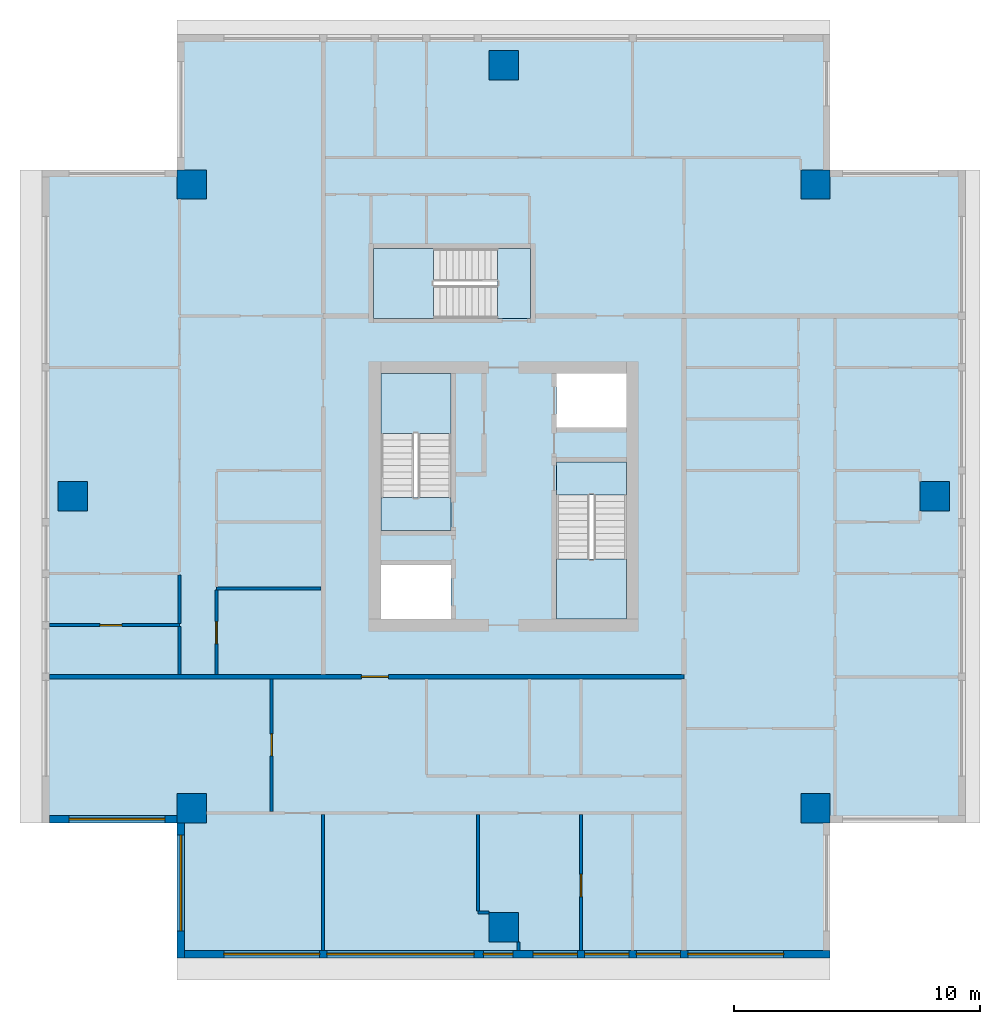
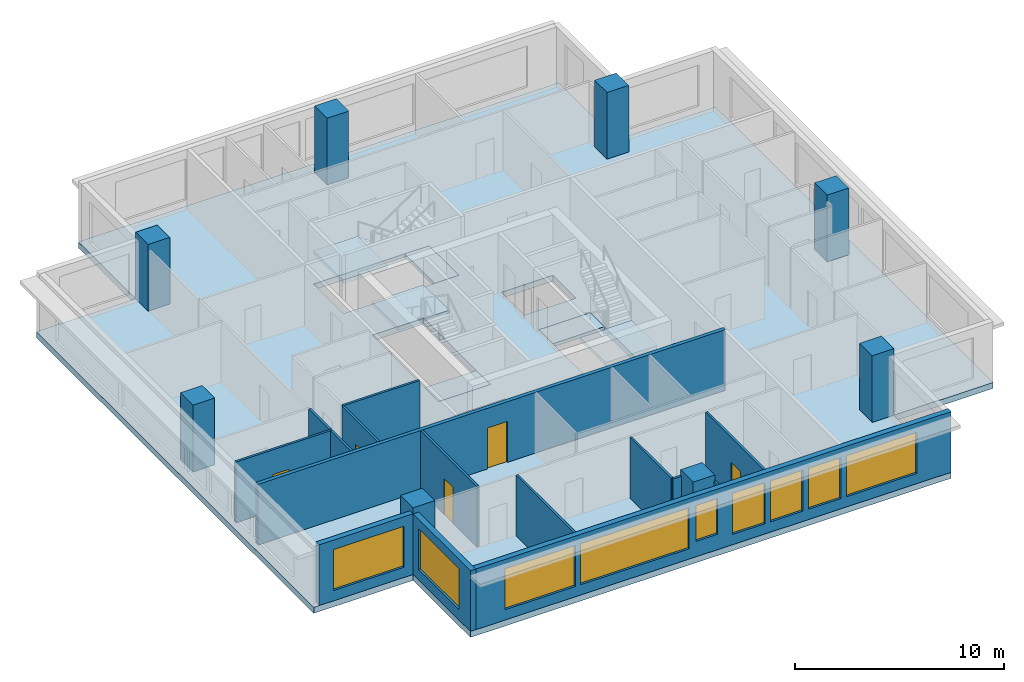
# One storey, part 1 of 8: 15 walls, 9 windows, 8 columns, 7 slabs, 5 doors, 14 openings, 3 elements without a shape of their own.
"""IFC4 building model written with IfcOpenShell, lengths in metres."""

import ifcopenshell
import ifcopenshell.guid

model = None  # the IFC model being written
_history = None  # IfcOwnerHistory: only IFC2X3 demands one
_inside = {}  # id of a spatial element -> (the spatial element, [elements in it])
_under = {}  # id of a project, library or spatial element -> (it, [spatial elements below it])
_declared = {}  # id of a project -> (the project, [libraries it declares])
_typed = {}  # id of a type object -> (the type object, [elements of that type])
_made_of = {}  # id of a material, layer set ... -> (it, [elements and type objects made of it])


def new_model(schema):
    """Start an empty IFC model of exactly this schema.

    Asked for "IFC4X3", IfcOpenShell would pick the latest addendum, in which some entities
    have other attributes; the version numbers below select the first issue.
    IFC2X3 requires an IfcOwnerHistory on every rooted entity: one is made here for all.
    """
    global model, _history
    if schema == "IFC4X3":
        model = ifcopenshell.file(schema_version=(4, 3, 0, 0))
    else:
        model = ifcopenshell.file(schema=schema)
    _inside.clear()
    _under.clear()
    _declared.clear()
    _typed.clear()
    _made_of.clear()
    _history = None
    if model.schema == "IFC2X3":
        org = make("IfcOrganization", Name="unknown")
        user = make(
            "IfcPersonAndOrganization",
            ThePerson=make("IfcPerson", FamilyName="unknown"),
            TheOrganization=org,
        )
        app = make(
            "IfcApplication",
            ApplicationDeveloper=org,
            Version="unknown",
            ApplicationFullName="unknown",
            ApplicationIdentifier="unknown",
        )
        _history = make(
            "IfcOwnerHistory",
            OwningUser=user,
            OwningApplication=app,
            ChangeAction="ADDED",
            CreationDate=0,
        )
    return model


def make(cls, **values):
    """One entity of the class cls with the attributes given. An attribute that is None is left unset."""
    return model.create_entity(
        cls, **{name: value for name, value in values.items() if value is not None}
    )


def rooted(cls, **values):
    """An entity with a GlobalId (a new one), such as an element, a storey or a relation."""
    return make(cls, GlobalId=ifcopenshell.guid.new(), OwnerHistory=_history, **values)


def si_unit(unit_type, name, prefix=None):
    """IfcSIUnit, for example si_unit("LENGTHUNIT", "METRE", prefix="MILLI")."""
    return make("IfcSIUnit", UnitType=unit_type, Prefix=prefix, Name=name)


def assignment(units):
    """IfcUnitAssignment: the units of a project."""
    return None if units is None else make("IfcUnitAssignment", Units=units)


def point(xyz):
    """IfcCartesianPoint."""
    return None if xyz is None else make("IfcCartesianPoint", Coordinates=xyz)


def direction(xyz):
    """IfcDirection."""
    return None if xyz is None else make("IfcDirection", DirectionRatios=xyz)


def frame(location, z_axis=None, x_axis=None):
    """IfcAxis2Placement3D, a coordinate frame: its origin and axes. An axis left out is left unset."""
    return make(
        "IfcAxis2Placement3D",
        Location=point(location),
        Axis=direction(z_axis),
        RefDirection=direction(x_axis),
    )


def frame_2d(location, x_axis=None):
    """IfcAxis2Placement2D, a coordinate frame in the plane: its origin and x axis."""
    return make(
        "IfcAxis2Placement2D", Location=point(location), RefDirection=direction(x_axis)
    )


def origin():
    """The frame at (0, 0, 0) with its axes left unset."""
    return frame((0.0, 0.0, 0.0))


def origin_2d():
    """The frame at (0, 0) in the plane with its x axis left unset."""
    return frame_2d((0.0, 0.0))


def place(relative_to, where):
    """IfcLocalPlacement: puts the frame where relative to a parent placement (None: the world)."""
    return make(
        "IfcLocalPlacement", PlacementRelTo=relative_to, RelativePlacement=where
    )


def context(
    kind, dimensions, precision=None, world=None, true_north=None, identifier=None
):
    """IfcGeometricRepresentationContext, for example the 3D "Model" context."""
    return make(
        "IfcGeometricRepresentationContext",
        ContextIdentifier=identifier,
        ContextType=kind,
        CoordinateSpaceDimension=dimensions,
        Precision=precision,
        WorldCoordinateSystem=world,
        TrueNorth=true_north,
    )


def subcontext(parent, identifier, kind, view, scale=None):
    """IfcGeometricRepresentationSubContext, for example "Body" below "Model"."""
    return make(
        "IfcGeometricRepresentationSubContext",
        ContextIdentifier=identifier,
        ContextType=kind,
        ParentContext=parent,
        TargetScale=scale,
        TargetView=view,
    )


def project(units=None, contexts=None):
    """IfcProject with its units and contexts."""
    return rooted(
        "IfcProject",
        Name="project",
        RepresentationContexts=contexts,
        UnitsInContext=assignment(units),
    )


def spatial(cls, under=None, at=None, **own):
    """A site, building, storey or space (cls), placed at a placement, below another one or the project."""
    s = rooted(cls, ObjectPlacement=at, **own)
    if under is not None:
        _under.setdefault(under.id(), (under, []))[1].append(s)
    return s


def polyline(points):
    """IfcPolyline through the points."""
    return make("IfcPolyline", Points=[point(p) for p in points])


def profile(cls, at=None, kind="AREA", **sizes):
    """A parametric profile (cls). Its sizes go by their IFC names, for example OverallWidth=200.0."""
    return make(cls, ProfileType=kind, Position=at, **sizes)


def rectangle(**sizes):
    """IfcRectangleProfileDef."""
    return profile("IfcRectangleProfileDef", **sizes)


def outline(outer, holes=None, kind="AREA"):
    """IfcArbitraryClosedProfileDef: a profile drawn as a closed curve; with holes, ...WithVoids."""
    if holes is None:
        return make("IfcArbitraryClosedProfileDef", ProfileType=kind, OuterCurve=outer)
    return make(
        "IfcArbitraryProfileDefWithVoids",
        ProfileType=kind,
        OuterCurve=outer,
        InnerCurves=holes,
    )


def extrude(swept, where, along, depth):
    """IfcExtrudedAreaSolid: the profile swept, set in the frame where, extruded along a direction by depth."""
    return make(
        "IfcExtrudedAreaSolid",
        SweptArea=swept,
        Position=where,
        ExtrudedDirection=direction(along),
        Depth=depth,
    )


def shape(context_of_items, identifier, shape_type, items):
    """IfcShapeRepresentation: the items that make up one representation, for example the "Body"."""
    return make(
        "IfcShapeRepresentation",
        ContextOfItems=context_of_items,
        RepresentationIdentifier=identifier,
        RepresentationType=shape_type,
        Items=items,
    )


def material(Name=None, Category=None):
    """IfcMaterial."""
    return make("IfcMaterial", Name=Name, Category=Category)


def layer(
    of_material, thickness, ventilated=None, Name=None, Category=None, Priority=None
):
    """IfcMaterialLayer: one layer of a wall or slab, of a material (None: an air gap)."""
    return make(
        "IfcMaterialLayer",
        Material=of_material,
        LayerThickness=thickness,
        IsVentilated=ventilated,
        Name=Name,
        Category=Category,
        Priority=Priority,
    )


def layer_set(layers, Name=None):
    """IfcMaterialLayerSet."""
    return make("IfcMaterialLayerSet", MaterialLayers=layers, LayerSetName=Name)


def material_profile(
    of_material, cross_section, Name=None, Category=None, Priority=None
):
    """IfcMaterialProfile: a cross section and its material."""
    return make(
        "IfcMaterialProfile",
        Name=Name,
        Material=of_material,
        Profile=cross_section,
        Priority=Priority,
        Category=Category,
    )


def profile_set(profiles, Name=None, composite=None):
    """IfcMaterialProfileSet."""
    return make(
        "IfcMaterialProfileSet",
        Name=Name,
        MaterialProfiles=profiles,
        CompositeProfile=composite,
    )


def made_of(thing, what):
    """Note that an element or type object is made of a material, layer set ...; save() writes the relation."""
    if what is not None:
        _made_of.setdefault(what.id(), (what, []))[1].append(thing)
    return thing


def type_object(cls, material=None, **own):
    """A type object (cls), such as IfcWallType, which elements share."""
    return made_of(rooted(cls, **own), material)


def element(
    cls,
    number,
    at=None,
    inside=None,
    cuts=None,
    type_object=None,
    material=None,
    context=None,
    identifier="Body",
    shape_type=None,
    held_by="IfcProductDefinitionShape",
    body=None,
    shapes=None,
    **own,
):
    """One element of the class cls, such as IfcWall. Its Tag is "e" and its number.

    at: its placement. inside: the storey or other place that contains it. cuts: it is an
    opening in that element (IfcRelVoidsElement). A single representation is given by context,
    identifier, shape_type and body (its items); several are given by shapes. held_by: the class
    of the entity that holds the representations. save() writes the other relations.
    """
    e = rooted(cls, Tag="e%d" % number, ObjectPlacement=at, **own)
    if body is not None:
        shapes = [shape(context, identifier, shape_type, body)]
    if shapes is not None:
        e.Representation = make(held_by, Representations=shapes)
    if inside is not None:
        _inside.setdefault(inside.id(), (inside, []))[1].append(e)
    if cuts is not None:
        rooted(
            "IfcRelVoidsElement", RelatingBuildingElement=cuts, RelatedOpeningElement=e
        )
    if type_object is not None:
        _typed.setdefault(type_object.id(), (type_object, []))[1].append(e)
    return made_of(e, material)


def fill(opening, filler):
    """IfcRelFillsElement: the door or window that sits in an opening."""
    return rooted(
        "IfcRelFillsElement",
        RelatingOpeningElement=opening,
        RelatedBuildingElement=filler,
    )


def aggregate(whole, parts):
    """IfcRelAggregates: a whole, such as a stair, and the parts it consists of."""
    return rooted("IfcRelAggregates", RelatingObject=whole, RelatedObjects=parts)


def save(model, path):
    """Write the relations noted so far, then the file.

    IfcRelAggregates (storeys below a building ...), IfcRelContainedInSpatialStructure (elements
    in a storey), IfcRelDefinesByType, IfcRelAssociatesMaterial and IfcRelDeclares: one each for
    every whole, place, type object, material and project.
    """
    for whole, parts in _under.values():
        aggregate(whole, parts)
    for where, things in _inside.values():
        rooted(
            "IfcRelContainedInSpatialStructure",
            RelatedElements=things,
            RelatingStructure=where,
        )
    for kind, things in _typed.values():
        rooted("IfcRelDefinesByType", RelatedObjects=things, RelatingType=kind)
    for what, things in _made_of.values():
        rooted("IfcRelAssociatesMaterial", RelatedObjects=things, RelatingMaterial=what)
    for by, libraries in _declared.values():
        rooted("IfcRelDeclares", RelatingContext=by, RelatedDefinitions=libraries)
    model.write(path)


model = new_model("IFC4")

# Units and contexts
model_context = context("Model", 3, precision=1e-05, world=origin(), true_north=direction((0.0, 1.0)))
body_context = subcontext(model_context, "Body", "Model", "MODEL_VIEW")
ifc_project = project(units=[si_unit("LENGTHUNIT", "METRE"), si_unit("AREAUNIT", "SQUARE_METRE"), si_unit("VOLUMEUNIT", "CUBIC_METRE"), si_unit("PLANEANGLEUNIT", "RADIAN"), si_unit("MASSUNIT", "GRAM", prefix="KILO")], contexts=[model_context])

# Site, building, storey
site_placement = place(None, origin())
site = spatial("IfcSite", under=ifc_project, at=site_placement, CompositionType="ELEMENT")
building_placement = place(site_placement, origin())
building = spatial("IfcBuilding", under=site, at=building_placement, Name="Khepri Terraces", CompositionType="ELEMENT")
storey_placement = place(building_placement, frame((0.0, 0.0, 304.5)))
storey = spatial("IfcBuildingStorey", under=building, at=storey_placement, Name="L73", CompositionType="ELEMENT", Elevation=304.5)

# Columns
ifc_material_1 = material(Name="Concrete C40/50", Category="concrete")
ifc_material_profile = material_profile(ifc_material_1, rectangle(XDim=1.199951171875, YDim=1.199951171875, at=origin_2d()), Name="Concrete C40/50", Category="concrete")
ifc_profile_set = profile_set([ifc_material_profile], Name="Concrete C40/50")
column_type = type_object("IfcColumnType", Name="Crown column RC 1200x1200 C40/50", PredefinedType="COLUMN", material=ifc_profile_set)
for number, where, z_axis, x_axis, name in (
    (1, (17.550048828125, 0.0, 0.0), (0.0, 0.0, 1.0), (1.0, 0.0, 0.0), "Crown column CT2E L73"),
    (2, (12.699951171875, 12.699951171875, 0.0), (0.0, 0.0, 1.0), (1.0, 0.0, 0.0), "Crown column CT2EN L73"),
    (3, (12.699951171875, -12.699951171875, 0.0), (0.0, 0.0, 1.0), (1.0, 0.0, 0.0), "Crown column CT2ES L73"),
    (4, (0.0, 17.550048828125, 0.0), (0.0, 0.0, 1.0), (1.0, 0.0, 0.0), "Crown column CT2N L73"),
    (5, (0.0, -17.550048828125, 0.0), (0.0, 0.0, 1.0), (1.0, 0.0, 0.0), "Crown column CT2S L73"),
    (6, (-17.550048828125, 0.0, 0.0), (0.0, 0.0, 1.0), (1.0, 0.0, 0.0), "Crown column CT2W L73"),
    (7, (-12.699951171875, 12.699951171875, 0.0), (0.0, 0.0, 1.0), (1.0, 0.0, 0.0), "Crown column CT2WN L73"),
    (8, (-12.699951171875, -12.699951171875, 0.0), (0.0, 0.0, 1.0), (1.0, 0.0, 0.0), "Crown column CT2WS L73"),
):
    element("IfcColumn", number, at=place(storey_placement, frame(where, z_axis=z_axis, x_axis=x_axis)), inside=storey, type_object=column_type, Name=name, PredefinedType="COLUMN", context=body_context, shape_type="SweptSolid", body=[
        extrude(rectangle(XDim=1.199951171875, YDim=1.199951171875, at=origin_2d()), origin(), (0.0, 0.0, 1.0), 3.89990234375),
    ])

# Slab
ifc_layer_1 = layer(ifc_material_1, 0.35009765625, Name="Concrete C40/50", Category="concrete")
ifc_layer_set_1 = layer_set([ifc_layer_1], Name="Concrete C40/50")
slab_type_1 = type_object("IfcSlabType", Name="Crown floor slab 350", PredefinedType="FLOOR", material=ifc_layer_set_1)
slab_1_placement = place(storey_placement, frame((0.0, 0.0, -0.35009765625)))
element("IfcSlab", 9, at=slab_1_placement, inside=storey, type_object=slab_type_1, Name="Floor slab F01 L73", PredefinedType="FLOOR", context=body_context, shape_type="SweptSolid", body=[
    extrude(outline(polyline([(-18.800048828125, -13.300048828125), (-18.800048828125, 13.300048828125), (-13.300048828125, 13.300048828125), (-13.300048828125, 18.800048828125), (13.300048828125, 18.800048828125), (13.300048828125, 13.300048828125), (18.800048828125, 13.300048828125), (18.800048828125, -13.300048828125), (13.300048828125, -13.300048828125), (13.300048828125, -18.800048828125), (-13.300048828125, -18.800048828125), (-13.300048828125, -13.300048828125), (-18.800048828125, -13.300048828125)]), holes=[polyline([(5.0, 5.0), (2.14990234375, 5.0), (2.14990234375, 2.800048828125), (5.0, 2.800048828125), (5.0, 5.0)]), polyline([(-2.14990234375, -5.0), (-2.14990234375, -2.800048828125), (-5.0, -2.800048828125), (-5.0, -5.0), (-2.14990234375, -5.0)]), polyline([(-5.0, -1.39990234375), (-2.14990234375, -1.39990234375), (-2.14990234375, 5.0), (-5.0, 5.0), (-5.0, -1.39990234375)]), polyline([(5.0, -5.0), (5.0, 1.39990234375), (2.14990234375, 1.39990234375), (2.14990234375, -5.0), (5.0, -5.0)]), polyline([(-5.300048828125, 10.10009765625), (-5.300048828125, 7.25), (1.10009765625, 7.25), (1.10009765625, 10.10009765625), (-5.300048828125, 10.10009765625)])]), origin(), (0.0, 0.0, 1.0), 0.35009765625),
])

# Stair, slabs
stair_type = type_object("IfcStairType", Name="STAIR-RC-22R", PredefinedType="HALF_TURN_STAIR", material=ifc_material_1)
stair_1_placement = place(storey_placement, origin())
stair_1 = element("IfcStair", 10, at=stair_1_placement, inside=storey, type_object=stair_type, Name="L73 Exit Stair ST-1", PredefinedType="HALF_TURN_STAIR")
ifc_layer_2 = layer(ifc_material_1, 0.199951171875, Name="Concrete C40/50", Category="concrete")
ifc_layer_set_2 = layer_set([ifc_layer_2], Name="Concrete C40/50")
slab_type_2 = type_object("IfcSlabType", Name="SLB-CORE-LANDING", PredefinedType="LANDING", material=ifc_layer_set_2)
slab_2_placement = place(storey_placement, frame((0.0, 0.0, -0.199951171875)))
slab_2 = element("IfcSlab", 11, at=slab_2_placement, type_object=slab_type_2, Name="ST-1 landing 1", PredefinedType="LANDING", context=body_context, shape_type="SweptSolid", body=[
    extrude(outline(polyline([(-2.14990234375, -1.39990234375), (-2.14990234375, -0.050048828125), (-5.0, -0.050048828125), (-5.0, -1.39990234375), (-2.14990234375, -1.39990234375)])), origin(), (0.0, 0.0, 1.0), 0.199951171875),
])
slab_3_placement = place(storey_placement, frame((0.0, 0.0, 1.75)))
slab_3 = element("IfcSlab", 12, at=slab_3_placement, type_object=slab_type_2, Name="ST-1 landing 2", PredefinedType="LANDING", context=body_context, shape_type="SweptSolid", body=[
    extrude(outline(polyline([(-2.14990234375, 2.550048828125), (-2.14990234375, 5.0), (-5.0, 5.0), (-5.0, 2.550048828125), (-2.14990234375, 2.550048828125)])), origin(), (0.0, 0.0, 1.0), 0.199951171875),
])
aggregate(stair_1, [slab_2, slab_3])

stair_2_placement = place(storey_placement, origin())
stair_2 = element("IfcStair", 13, at=stair_2_placement, inside=storey, type_object=stair_type, Name="L73 Exit Stair ST-2", PredefinedType="HALF_TURN_STAIR")
slab_4_placement = place(storey_placement, frame((0.0, 0.0, -0.199951171875)))
slab_4 = element("IfcSlab", 14, at=slab_4_placement, type_object=slab_type_2, Name="ST-2 landing 1", PredefinedType="LANDING", context=body_context, shape_type="SweptSolid", body=[
    extrude(outline(polyline([(2.14990234375, 1.39990234375), (2.14990234375, 0.050048828125), (5.0, 0.050048828125), (5.0, 1.39990234375), (2.14990234375, 1.39990234375)])), origin(), (0.0, 0.0, 1.0), 0.199951171875),
])
slab_5_placement = place(storey_placement, frame((0.0, 0.0, 1.75)))
slab_5 = element("IfcSlab", 15, at=slab_5_placement, type_object=slab_type_2, Name="ST-2 landing 2", PredefinedType="LANDING", context=body_context, shape_type="SweptSolid", body=[
    extrude(outline(polyline([(2.14990234375, -2.550048828125), (2.14990234375, -5.0), (5.0, -5.0), (5.0, -2.550048828125), (2.14990234375, -2.550048828125)])), origin(), (0.0, 0.0, 1.0), 0.199951171875),
])
aggregate(stair_2, [slab_4, slab_5])

stair_3_placement = place(storey_placement, origin())
stair_3 = element("IfcStair", 16, at=stair_3_placement, inside=storey, type_object=stair_type, Name="L73 Exit Stair ST-3", PredefinedType="HALF_TURN_STAIR")
slab_6_placement = place(storey_placement, frame((0.0, 0.0, -0.199951171875)))
slab_6 = element("IfcSlab", 17, at=slab_6_placement, type_object=slab_type_2, Name="ST-3 landing 1", PredefinedType="LANDING", context=body_context, shape_type="SweptSolid", body=[
    extrude(outline(polyline([(1.10009765625, 10.10009765625), (-0.25, 10.10009765625), (-0.25, 7.25), (1.10009765625, 7.25), (1.10009765625, 10.10009765625)])), origin(), (0.0, 0.0, 1.0), 0.199951171875),
])
slab_7_placement = place(storey_placement, frame((0.0, 0.0, 1.75)))
slab_7 = element("IfcSlab", 18, at=slab_7_placement, type_object=slab_type_2, Name="ST-3 landing 2", PredefinedType="LANDING", context=body_context, shape_type="SweptSolid", body=[
    extrude(outline(polyline([(-2.85009765625, 10.10009765625), (-5.300048828125, 10.10009765625), (-5.300048828125, 7.25), (-2.85009765625, 7.25), (-2.85009765625, 10.10009765625)])), origin(), (0.0, 0.0, 1.0), 0.199951171875),
])
aggregate(stair_3, [slab_6, slab_7])

# Wall, opening, door
ifc_material_2 = material(Name="Fire-rated gypsum plasterboard partition, mineral wool")
ifc_layer_3 = layer(ifc_material_2, 0.199951171875, Name="Fire-rated gypsum plasterboard partition, mineral wool")
ifc_layer_set_3 = layer_set([ifc_layer_3], Name="Fire-rated gypsum plasterboard partition, mineral wool")
wall_type_1 = type_object("IfcWallType", Name="WL-CORR-200", PredefinedType="PARTITIONING", material=ifc_layer_set_3)
wall_1_placement = place(storey_placement, frame((-18.5, -7.35009765625, 0.0), z_axis=(0.0, 0.0, 1.0), x_axis=(1.0, 0.0, 0.0)))
wall_1 = element("IfcWall", 19, at=wall_1_placement, inside=storey, type_object=wall_type_1, Name="Partition P-017 L73", PredefinedType="PARTITIONING", context=body_context, shape_type="SweptSolid", body=[
    extrude(rectangle(XDim=25.85009765625, YDim=0.199951171875, at=frame_2d((12.925048828125, 0.0))), origin(), (0.0, 0.0, 1.0), 3.550048828125),
])
opening_1_placement = place(wall_1_placement, frame((12.699951171875, 0.0, 0.0)))
opening_1 = element("IfcOpeningElement", 20, at=opening_1_placement, cuts=wall_1, Name="Opening D1", PredefinedType="OPENING", context=body_context, shape_type="SweptSolid", body=[
    extrude(rectangle(XDim=1.10009765625, YDim=2.39990234375, at=frame_2d((0.550048828125, 1.199951171875))), frame((0.0, 0.10986328125, 0.0), z_axis=(0.0, -1.0, 0.0), x_axis=(1.0, 0.0, 0.0)), (0.0, 0.0, 1.0), 0.219970703125),
])
ifc_material_3 = material(Name="Solid-core timber door leaf, flat entrance door", Category="wood")
door_type_1 = type_object("IfcDoorType", Name="DR-ENT-1100", OperationType="NOTDEFINED", PredefinedType="DOOR", material=ifc_material_3)
door_1_placement = place(opening_1_placement, frame((1.10009765625, 0.0, 0.0), z_axis=(0.0, 0.0, 1.0), x_axis=(-1.0, 0.0, 0.0)))
door_1 = element("IfcDoor", 21, at=door_1_placement, inside=storey, type_object=door_type_1, Name="Flat A1 entrance door", OperationType="SINGLE_SWING_LEFT", OverallHeight=2.39990234375, OverallWidth=1.10009765625, PredefinedType="DOOR", context=body_context, shape_type="SweptSolid", body=[
    extrude(rectangle(XDim=1.10009765625, YDim=2.39990234375, at=frame_2d((0.550048828125, 1.199951171875))), frame((0.0, 0.02490234375, 0.0), z_axis=(0.0, -1.0, 0.0), x_axis=(1.0, 0.0, 0.0)), (0.0, 0.0, 1.0), 0.050048828125),
])
fill(opening_1, door_1)

# Wall, opening, window
ifc_material_4 = material(Name="Precast concrete C50/60 warm stone", Category="masonry")
ifc_layer_4 = layer(ifc_material_4, 0.300048828125, Name="Precast concrete C50/60 warm stone", Category="masonry")
ifc_layer_set_4 = layer_set([ifc_layer_4], Name="Precast concrete C50/60 warm stone")
wall_type_2 = type_object("IfcWallType", Name="WL-EXT-PRECAST-300", PredefinedType="STANDARD", material=ifc_layer_set_4)
wall_2_placement = place(storey_placement, frame((-18.5, -13.14990234375, 0.0), z_axis=(0.0, 0.0, 1.0), x_axis=(1.0, 0.0, 0.0)))
wall_2 = element("IfcWall", 22, at=wall_2_placement, inside=storey, type_object=wall_type_2, Name="External wall L73 S", PredefinedType="STANDARD", context=body_context, shape_type="SweptSolid", body=[
    extrude(rectangle(XDim=5.199951171875, YDim=0.300048828125, at=frame_2d((2.60009765625, 0.0))), origin(), (0.0, 0.0, 1.0), 3.550048828125),
])
opening_2_placement = place(wall_2_placement, frame((0.800048828125, 0.0, 0.60009765625)))
opening_2 = element("IfcOpeningElement", 23, at=opening_2_placement, cuts=wall_2, Name="Opening WC2", PredefinedType="OPENING", context=body_context, shape_type="SweptSolid", body=[
    extrude(rectangle(XDim=3.89990234375, YDim=2.39990234375, at=frame_2d((1.949951171875, 1.199951171875))), frame((0.0, 0.16015625, 0.0), z_axis=(0.0, -1.0, 0.0), x_axis=(1.0, 0.0, 0.0)), (0.0, 0.0, 1.0), 0.320068359375),
])
ifc_material_5 = material(Name="Clear glass", Category="glass")
window_type_1 = type_object("IfcWindowType", Name="WIN-CRN-3900x2400", PartitioningType="SINGLE_PANEL", PredefinedType="WINDOW", material=ifc_material_5)
window_1_placement = place(opening_2_placement, origin())
window_1 = element("IfcWindow", 24, at=window_1_placement, inside=storey, type_object=window_type_1, Name="Window L73 S", OverallHeight=2.39990234375, OverallWidth=3.89990234375, PartitioningType="SINGLE_PANEL", PredefinedType="WINDOW", context=body_context, shape_type="SweptSolid", body=[
    extrude(rectangle(XDim=3.89990234375, YDim=2.39990234375, at=frame_2d((1.949951171875, 1.199951171875))), frame((0.0, 0.030029296875, 0.0), z_axis=(0.0, -1.0, 0.0), x_axis=(1.0, 0.0, 0.0)), (0.0, 0.0, 1.0), 0.06005859375),
])
fill(opening_2, window_1)

wall_3_placement = place(storey_placement, frame((-13.14990234375, -13.300048828125, 0.0), z_axis=(0.0, 0.0, 1.0), x_axis=(0.0, -1.0, 0.0)))
wall_3 = element("IfcWall", 25, at=wall_3_placement, inside=storey, type_object=wall_type_2, Name="External wall L73 W", PredefinedType="STANDARD", context=body_context, shape_type="SweptSolid", body=[
    extrude(rectangle(XDim=5.5, YDim=0.300048828125, at=frame_2d((2.75, 0.0))), origin(), (0.0, 0.0, 1.0), 3.550048828125),
])
opening_3_placement = place(wall_3_placement, frame((0.5, 0.0, 0.60009765625)))
opening_3 = element("IfcOpeningElement", 26, at=opening_3_placement, cuts=wall_3, Name="Opening WC2", PredefinedType="OPENING", context=body_context, shape_type="SweptSolid", body=[
    extrude(rectangle(XDim=3.89990234375, YDim=2.39990234375, at=frame_2d((1.949951171875, 1.199951171875))), frame((0.0, 0.16015625, 0.0), z_axis=(0.0, -1.0, 0.0), x_axis=(1.0, 0.0, 0.0)), (0.0, 0.0, 1.0), 0.320068359375),
])
window_2_placement = place(opening_3_placement, origin())
window_2 = element("IfcWindow", 27, at=window_2_placement, inside=storey, type_object=window_type_1, Name="Window L73 W", OverallHeight=2.39990234375, OverallWidth=3.89990234375, PartitioningType="SINGLE_PANEL", PredefinedType="WINDOW", context=body_context, shape_type="SweptSolid", body=[
    extrude(rectangle(XDim=3.89990234375, YDim=2.39990234375, at=frame_2d((1.949951171875, 1.199951171875))), frame((0.0, 0.030029296875, 0.0), z_axis=(0.0, -1.0, 0.0), x_axis=(1.0, 0.0, 0.0)), (0.0, 0.0, 1.0), 0.06005859375),
])
fill(opening_3, window_2)

# Wall, openings, windows
wall_4_placement = place(storey_placement, frame((-13.0, -18.64990234375, 0.0), z_axis=(0.0, 0.0, 1.0), x_axis=(1.0, 0.0, 0.0)))
wall_4 = element("IfcWall", 28, at=wall_4_placement, inside=storey, type_object=wall_type_2, Name="External wall L73 S", PredefinedType="STANDARD", context=body_context, shape_type="SweptSolid", body=[
    extrude(rectangle(XDim=26.300048828125, YDim=0.300048828125, at=frame_2d((13.14990234375, 0.0))), origin(), (0.0, 0.0, 1.0), 3.550048828125),
])
opening_4_placement = place(wall_4_placement, frame((1.60009765625, 0.0, 0.60009765625)))
opening_4 = element("IfcOpeningElement", 29, at=opening_4_placement, cuts=wall_4, Name="Opening WC2", PredefinedType="OPENING", context=body_context, shape_type="SweptSolid", body=[
    extrude(rectangle(XDim=3.89990234375, YDim=2.39990234375, at=frame_2d((1.949951171875, 1.199951171875))), frame((0.0, 0.16015625, 0.0), z_axis=(0.0, -1.0, 0.0), x_axis=(1.0, 0.0, 0.0)), (0.0, 0.0, 1.0), 0.320068359375),
])
opening_5_placement = place(wall_4_placement, frame((5.800048828125, 0.0, 0.60009765625)))
opening_5 = element("IfcOpeningElement", 30, at=opening_5_placement, cuts=wall_4, Name="Opening WC3", PredefinedType="OPENING", context=body_context, shape_type="SweptSolid", body=[
    extrude(rectangle(XDim=6.0, YDim=2.39990234375, at=frame_2d((3.0, 1.199951171875))), frame((0.0, 0.16015625, 0.0), z_axis=(0.0, -1.0, 0.0), x_axis=(1.0, 0.0, 0.0)), (0.0, 0.0, 1.0), 0.320068359375),
])
opening_6_placement = place(wall_4_placement, frame((14.199951171875, 0.0, 0.60009765625)))
opening_6 = element("IfcOpeningElement", 31, at=opening_6_placement, cuts=wall_4, Name="Opening WC1", PredefinedType="OPENING", context=body_context, shape_type="SweptSolid", body=[
    extrude(rectangle(XDim=1.800048828125, YDim=2.39990234375, at=frame_2d((0.89990234375, 1.199951171875))), frame((0.0, 0.16015625, 0.0), z_axis=(0.0, -1.0, 0.0), x_axis=(1.0, 0.0, 0.0)), (0.0, 0.0, 1.0), 0.320068359375),
])
opening_7_placement = place(wall_4_placement, frame((16.300048828125, 0.0, 0.60009765625)))
opening_7 = element("IfcOpeningElement", 32, at=opening_7_placement, cuts=wall_4, Name="Opening WC1", PredefinedType="OPENING", context=body_context, shape_type="SweptSolid", body=[
    extrude(rectangle(XDim=1.800048828125, YDim=2.39990234375, at=frame_2d((0.89990234375, 1.199951171875))), frame((0.0, 0.16015625, 0.0), z_axis=(0.0, -1.0, 0.0), x_axis=(1.0, 0.0, 0.0)), (0.0, 0.0, 1.0), 0.320068359375),
])
opening_8_placement = place(wall_4_placement, frame((18.39990234375, 0.0, 0.60009765625)))
opening_8 = element("IfcOpeningElement", 33, at=opening_8_placement, cuts=wall_4, Name="Opening WC1", PredefinedType="OPENING", context=body_context, shape_type="SweptSolid", body=[
    extrude(rectangle(XDim=1.800048828125, YDim=2.39990234375, at=frame_2d((0.89990234375, 1.199951171875))), frame((0.0, 0.16015625, 0.0), z_axis=(0.0, -1.0, 0.0), x_axis=(1.0, 0.0, 0.0)), (0.0, 0.0, 1.0), 0.320068359375),
])
opening_9_placement = place(wall_4_placement, frame((20.5, 0.0, 0.60009765625)))
opening_9 = element("IfcOpeningElement", 34, at=opening_9_placement, cuts=wall_4, Name="Opening WC2", PredefinedType="OPENING", context=body_context, shape_type="SweptSolid", body=[
    extrude(rectangle(XDim=3.89990234375, YDim=2.39990234375, at=frame_2d((1.949951171875, 1.199951171875))), frame((0.0, 0.16015625, 0.0), z_axis=(0.0, -1.0, 0.0), x_axis=(1.0, 0.0, 0.0)), (0.0, 0.0, 1.0), 0.320068359375),
])
opening_10_placement = place(wall_4_placement, frame((12.175048828125, 0.0, 0.89990234375)))
opening_10 = element("IfcOpeningElement", 35, at=opening_10_placement, cuts=wall_4, Name="Opening W4", PredefinedType="OPENING", context=body_context, shape_type="SweptSolid", body=[
    extrude(rectangle(XDim=1.199951171875, YDim=2.10009765625, at=frame_2d((0.60009765625, 1.050048828125))), frame((0.0, 0.16015625, 0.0), z_axis=(0.0, -1.0, 0.0), x_axis=(1.0, 0.0, 0.0)), (0.0, 0.0, 1.0), 0.320068359375),
])
window_type_2 = type_object("IfcWindowType", Name="WIN-CRN-1800x2400", PartitioningType="SINGLE_PANEL", PredefinedType="WINDOW", material=ifc_material_5)
window_3_placement = place(opening_6_placement, origin())
window_3 = element("IfcWindow", 36, at=window_3_placement, inside=storey, type_object=window_type_2, Name="Window L73 S", OverallHeight=2.39990234375, OverallWidth=1.800048828125, PartitioningType="SINGLE_PANEL", PredefinedType="WINDOW", context=body_context, shape_type="SweptSolid", body=[
    extrude(rectangle(XDim=1.800048828125, YDim=2.39990234375, at=frame_2d((0.89990234375, 1.199951171875))), frame((0.0, 0.030029296875, 0.0), z_axis=(0.0, -1.0, 0.0), x_axis=(1.0, 0.0, 0.0)), (0.0, 0.0, 1.0), 0.06005859375),
])
fill(opening_6, window_3)
window_4_placement = place(opening_7_placement, origin())
window_4 = element("IfcWindow", 37, at=window_4_placement, inside=storey, type_object=window_type_2, Name="Window L73 S", OverallHeight=2.39990234375, OverallWidth=1.800048828125, PartitioningType="SINGLE_PANEL", PredefinedType="WINDOW", context=body_context, shape_type="SweptSolid", body=[
    extrude(rectangle(XDim=1.800048828125, YDim=2.39990234375, at=frame_2d((0.89990234375, 1.199951171875))), frame((0.0, 0.030029296875, 0.0), z_axis=(0.0, -1.0, 0.0), x_axis=(1.0, 0.0, 0.0)), (0.0, 0.0, 1.0), 0.06005859375),
])
fill(opening_7, window_4)
window_5_placement = place(opening_8_placement, origin())
window_5 = element("IfcWindow", 38, at=window_5_placement, inside=storey, type_object=window_type_2, Name="Window L73 S", OverallHeight=2.39990234375, OverallWidth=1.800048828125, PartitioningType="SINGLE_PANEL", PredefinedType="WINDOW", context=body_context, shape_type="SweptSolid", body=[
    extrude(rectangle(XDim=1.800048828125, YDim=2.39990234375, at=frame_2d((0.89990234375, 1.199951171875))), frame((0.0, 0.030029296875, 0.0), z_axis=(0.0, -1.0, 0.0), x_axis=(1.0, 0.0, 0.0)), (0.0, 0.0, 1.0), 0.06005859375),
])
fill(opening_8, window_5)
window_6_placement = place(opening_4_placement, origin())
window_6 = element("IfcWindow", 39, at=window_6_placement, inside=storey, type_object=window_type_1, Name="Window L73 S", OverallHeight=2.39990234375, OverallWidth=3.89990234375, PartitioningType="SINGLE_PANEL", PredefinedType="WINDOW", context=body_context, shape_type="SweptSolid", body=[
    extrude(rectangle(XDim=3.89990234375, YDim=2.39990234375, at=frame_2d((1.949951171875, 1.199951171875))), frame((0.0, 0.030029296875, 0.0), z_axis=(0.0, -1.0, 0.0), x_axis=(1.0, 0.0, 0.0)), (0.0, 0.0, 1.0), 0.06005859375),
])
fill(opening_4, window_6)
window_7_placement = place(opening_9_placement, origin())
window_7 = element("IfcWindow", 40, at=window_7_placement, inside=storey, type_object=window_type_1, Name="Window L73 S", OverallHeight=2.39990234375, OverallWidth=3.89990234375, PartitioningType="SINGLE_PANEL", PredefinedType="WINDOW", context=body_context, shape_type="SweptSolid", body=[
    extrude(rectangle(XDim=3.89990234375, YDim=2.39990234375, at=frame_2d((1.949951171875, 1.199951171875))), frame((0.0, 0.030029296875, 0.0), z_axis=(0.0, -1.0, 0.0), x_axis=(1.0, 0.0, 0.0)), (0.0, 0.0, 1.0), 0.06005859375),
])
fill(opening_9, window_7)
window_type_3 = type_object("IfcWindowType", Name="WIN-CRN-6000x2400", PartitioningType="SINGLE_PANEL", PredefinedType="WINDOW", material=ifc_material_5)
window_8_placement = place(opening_5_placement, origin())
window_8 = element("IfcWindow", 41, at=window_8_placement, inside=storey, type_object=window_type_3, Name="Window L73 S", OverallHeight=2.39990234375, OverallWidth=6.0, PartitioningType="SINGLE_PANEL", PredefinedType="WINDOW", context=body_context, shape_type="SweptSolid", body=[
    extrude(rectangle(XDim=6.0, YDim=2.39990234375, at=frame_2d((3.0, 1.199951171875))), frame((0.0, 0.030029296875, 0.0), z_axis=(0.0, -1.0, 0.0), x_axis=(1.0, 0.0, 0.0)), (0.0, 0.0, 1.0), 0.06005859375),
])
fill(opening_5, window_8)
window_type_4 = type_object("IfcWindowType", Name="WIN-RES-1200x2100", PartitioningType="SINGLE_PANEL", PredefinedType="WINDOW", material=ifc_material_5)
window_9_placement = place(opening_10_placement, origin())
window_9 = element("IfcWindow", 42, at=window_9_placement, inside=storey, type_object=window_type_4, Name="Window L73 S", OverallHeight=2.10009765625, OverallWidth=1.199951171875, PartitioningType="SINGLE_PANEL", PredefinedType="WINDOW", context=body_context, shape_type="SweptSolid", body=[
    extrude(rectangle(XDim=1.199951171875, YDim=2.10009765625, at=frame_2d((0.60009765625, 1.050048828125))), frame((0.0, 0.030029296875, 0.0), z_axis=(0.0, -1.0, 0.0), x_axis=(1.0, 0.0, 0.0)), (0.0, 0.0, 1.0), 0.06005859375),
])
fill(opening_10, window_9)

# Walls
ifc_material_6 = material(Name="Gypsum plasterboard partition")
ifc_layer_5 = layer(ifc_material_6, 0.1201171875, Name="Gypsum plasterboard partition")
ifc_layer_set_5 = layer_set([ifc_layer_5], Name="Gypsum plasterboard partition")
wall_type_3 = type_object("IfcWallType", Name="WL-PART-120", PredefinedType="PARTITIONING", material=ifc_layer_set_5)
wall_5_placement = place(storey_placement, frame((-7.35009765625, -18.5, 0.0), z_axis=(0.0, 0.0, 1.0), x_axis=(0.0, 1.0, 0.0)))
element("IfcWall", 43, at=wall_5_placement, inside=storey, type_object=wall_type_3, Name="Partition P-001 L73", PredefinedType="PARTITIONING", context=body_context, shape_type="SweptSolid", body=[
    extrude(rectangle(XDim=5.5400390625, YDim=0.1201171875, at=frame_2d((2.77001953125, 0.0))), origin(), (0.0, 0.0, 1.0), 3.550048828125),
])
wall_6_placement = place(storey_placement, frame((0.60107421875, -18.5, 0.0), z_axis=(0.0, 0.0, 1.0), x_axis=(0.0, 1.0, 0.0)))
element("IfcWall", 44, at=wall_6_placement, inside=storey, type_object=wall_type_3, Name="Partition P-002 L73", PredefinedType="PARTITIONING", context=body_context, shape_type="SweptSolid", body=[
    extrude(rectangle(XDim=0.35009765625, YDim=0.1201171875, at=frame_2d((0.175048828125, 0.0))), origin(), (0.0, 0.0, 1.0), 3.550048828125),
])

# Wall, opening, door
wall_7_placement = place(storey_placement, frame((3.14990234375, -18.5, 0.0), z_axis=(0.0, 0.0, 1.0), x_axis=(0.0, 1.0, 0.0)))
wall_7 = element("IfcWall", 45, at=wall_7_placement, inside=storey, type_object=wall_type_3, Name="Partition P-003 L73", PredefinedType="PARTITIONING", context=body_context, shape_type="SweptSolid", body=[
    extrude(rectangle(XDim=5.5400390625, YDim=0.1201171875, at=frame_2d((2.77001953125, 0.0))), origin(), (0.0, 0.0, 1.0), 3.550048828125),
])
opening_11_placement = place(wall_7_placement, frame((2.199951171875, 0.0, 0.0)))
opening_11 = element("IfcOpeningElement", 46, at=opening_11_placement, cuts=wall_7, Name="Opening D3", PredefinedType="OPENING", context=body_context, shape_type="SweptSolid", body=[
    extrude(rectangle(XDim=0.89990234375, YDim=2.10009765625, at=frame_2d((0.449951171875, 1.050048828125))), frame((0.0, 0.070068359375, 0.0), z_axis=(0.0, -1.0, 0.0), x_axis=(1.0, 0.0, 0.0)), (0.0, 0.0, 1.0), 0.14013671875),
])
ifc_material_7 = material(Name="Timber door leaf", Category="wood")
door_type_2 = type_object("IfcDoorType", Name="DR-INT-900", OperationType="NOTDEFINED", PredefinedType="DOOR", material=ifc_material_7)
door_2_placement = place(opening_11_placement, frame((0.89990234375, 0.0, 0.0), z_axis=(0.0, 0.0, 1.0), x_axis=(-1.0, 0.0, 0.0)))
door_2 = element("IfcDoor", 47, at=door_2_placement, inside=storey, type_object=door_type_2, Name="Door Dressing Room", OperationType="SINGLE_SWING_RIGHT", OverallHeight=2.10009765625, OverallWidth=0.89990234375, PredefinedType="DOOR", context=body_context, shape_type="SweptSolid", body=[
    extrude(rectangle(XDim=0.89990234375, YDim=2.10009765625, at=frame_2d((0.449951171875, 1.050048828125))), frame((0.0, 0.02490234375, 0.0), z_axis=(0.0, -1.0, 0.0), x_axis=(1.0, 0.0, 0.0)), (0.0, 0.0, 1.0), 0.050048828125),
])
fill(opening_11, door_2)

# Walls
wall_8_placement = place(storey_placement, frame((-1.050048828125, -16.948974609375, 0.0), z_axis=(0.0, 0.0, 1.0), x_axis=(1.0, 0.0, 0.0)))
element("IfcWall", 48, at=wall_8_placement, inside=storey, type_object=wall_type_3, Name="Partition P-006 L73", PredefinedType="PARTITIONING", context=body_context, shape_type="SweptSolid", body=[
    extrude(rectangle(XDim=0.449951171875, YDim=0.1201171875, at=frame_2d((0.22509765625, 0.0))), origin(), (0.0, 0.0, 1.0), 3.550048828125),
])
wall_9_placement = place(storey_placement, frame((-1.050048828125, -16.888916015625, 0.0), z_axis=(0.0, 0.0, 1.0), x_axis=(0.0, 1.0, 0.0)))
element("IfcWall", 49, at=wall_9_placement, inside=storey, type_object=wall_type_3, Name="Partition P-007 L73", PredefinedType="PARTITIONING", context=body_context, shape_type="SweptSolid", body=[
    extrude(rectangle(XDim=3.928955078125, YDim=0.1201171875, at=frame_2d((1.96435546875, 0.0))), origin(), (0.0, 0.0, 1.0), 3.550048828125),
])

# Wall, opening, door
wall_10_placement = place(storey_placement, frame((-9.449951171875, -12.840087890625, 0.0), z_axis=(0.0, 0.0, 1.0), x_axis=(0.0, 1.0, 0.0)))
wall_10 = element("IfcWall", 50, at=wall_10_placement, inside=storey, type_object=wall_type_3, Name="Partition P-010 L73", PredefinedType="PARTITIONING", context=body_context, shape_type="SweptSolid", body=[
    extrude(rectangle(XDim=5.39013671875, YDim=0.1201171875, at=frame_2d((2.695068359375, 0.0))), origin(), (0.0, 0.0, 1.0), 3.550048828125),
])
opening_12_placement = place(wall_10_placement, frame((2.264892578125, 0.0, 0.0)))
opening_12 = element("IfcOpeningElement", 51, at=opening_12_placement, cuts=wall_10, Name="Opening D3", PredefinedType="OPENING", context=body_context, shape_type="SweptSolid", body=[
    extrude(rectangle(XDim=0.89990234375, YDim=2.10009765625, at=frame_2d((0.449951171875, 1.050048828125))), frame((0.0, 0.070068359375, 0.0), z_axis=(0.0, -1.0, 0.0), x_axis=(1.0, 0.0, 0.0)), (0.0, 0.0, 1.0), 0.14013671875),
])
door_3_placement = place(opening_12_placement, origin())
door_3 = element("IfcDoor", 52, at=door_3_placement, inside=storey, type_object=door_type_2, Name="Door Library", OperationType="SINGLE_SWING_RIGHT", OverallHeight=2.10009765625, OverallWidth=0.89990234375, PredefinedType="DOOR", context=body_context, shape_type="SweptSolid", body=[
    extrude(rectangle(XDim=0.89990234375, YDim=2.10009765625, at=frame_2d((0.449951171875, 1.050048828125))), frame((0.0, 0.02490234375, 0.0), z_axis=(0.0, -1.0, 0.0), x_axis=(1.0, 0.0, 0.0)), (0.0, 0.0, 1.0), 0.050048828125),
])
fill(opening_12, door_3)

# Wall
wall_11_placement = place(storey_placement, frame((-13.199951171875, -7.25, 0.0), z_axis=(0.0, 0.0, 1.0), x_axis=(0.0, 1.0, 0.0)))
element("IfcWall", 53, at=wall_11_placement, inside=storey, type_object=wall_type_3, Name="Partition P-020 L73", PredefinedType="PARTITIONING", context=body_context, shape_type="SweptSolid", body=[
    extrude(rectangle(XDim=1.93994140625, YDim=0.1201171875, at=frame_2d((0.969970703125, 0.0))), origin(), (0.0, 0.0, 1.0), 3.550048828125),
])

# Wall, opening, door
wall_12_placement = place(storey_placement, frame((-11.699951171875, -7.25, 0.0), z_axis=(0.0, 0.0, 1.0), x_axis=(0.0, 1.0, 0.0)))
wall_12 = element("IfcWall", 54, at=wall_12_placement, inside=storey, type_object=wall_type_3, Name="Partition P-021 L73", PredefinedType="PARTITIONING", context=body_context, shape_type="SweptSolid", body=[
    extrude(rectangle(XDim=3.43994140625, YDim=0.1201171875, at=frame_2d((1.719970703125, 0.0))), origin(), (0.0, 0.0, 1.0), 3.550048828125),
])
opening_13_placement = place(wall_12_placement, frame((1.25, 0.0, 0.0)))
opening_13 = element("IfcOpeningElement", 55, at=opening_13_placement, cuts=wall_12, Name="Opening D3", PredefinedType="OPENING", context=body_context, shape_type="SweptSolid", body=[
    extrude(rectangle(XDim=0.89990234375, YDim=2.10009765625, at=frame_2d((0.449951171875, 1.050048828125))), frame((0.0, 0.070068359375, 0.0), z_axis=(0.0, -1.0, 0.0), x_axis=(1.0, 0.0, 0.0)), (0.0, 0.0, 1.0), 0.14013671875),
])
door_4_placement = place(opening_13_placement, frame((0.89990234375, 0.0, 0.0), z_axis=(0.0, 0.0, 1.0), x_axis=(-1.0, 0.0, 0.0)))
door_4 = element("IfcDoor", 56, at=door_4_placement, inside=storey, type_object=door_type_2, Name="Door Staff Bedroom", OperationType="SINGLE_SWING_RIGHT", OverallHeight=2.10009765625, OverallWidth=0.89990234375, PredefinedType="DOOR", context=body_context, shape_type="SweptSolid", body=[
    extrude(rectangle(XDim=0.89990234375, YDim=2.10009765625, at=frame_2d((0.449951171875, 1.050048828125))), frame((0.0, 0.02490234375, 0.0), z_axis=(0.0, -1.0, 0.0), x_axis=(1.0, 0.0, 0.0)), (0.0, 0.0, 1.0), 0.050048828125),
])
fill(opening_13, door_4)

wall_13_placement = place(storey_placement, frame((-18.5, -5.25, 0.0), z_axis=(0.0, 0.0, 1.0), x_axis=(1.0, 0.0, 0.0)))
wall_13 = element("IfcWall", 57, at=wall_13_placement, inside=storey, type_object=wall_type_3, Name="Partition P-024 L73", PredefinedType="PARTITIONING", context=body_context, shape_type="SweptSolid", body=[
    extrude(rectangle(XDim=5.300048828125, YDim=0.1201171875, at=frame_2d((2.64990234375, 0.0))), origin(), (0.0, 0.0, 1.0), 3.550048828125),
])
opening_14_placement = place(wall_13_placement, frame((2.050048828125, 0.0, 0.0)))
opening_14 = element("IfcOpeningElement", 58, at=opening_14_placement, cuts=wall_13, Name="Opening D4", PredefinedType="OPENING", context=body_context, shape_type="SweptSolid", body=[
    extrude(rectangle(XDim=0.89990234375, YDim=2.10009765625, at=frame_2d((0.449951171875, 1.050048828125))), frame((0.0, 0.070068359375, 0.0), z_axis=(0.0, -1.0, 0.0), x_axis=(1.0, 0.0, 0.0)), (0.0, 0.0, 1.0), 0.14013671875),
])
ifc_material_8 = material(Name="Timber door leaf, moisture resistant", Category="wood")
door_type_3 = type_object("IfcDoorType", Name="DR-WET-900", OperationType="NOTDEFINED", PredefinedType="DOOR", material=ifc_material_8)
door_5_placement = place(opening_14_placement, frame((0.89990234375, 0.0, 0.0), z_axis=(0.0, 0.0, 1.0), x_axis=(-1.0, 0.0, 0.0)))
door_5 = element("IfcDoor", 59, at=door_5_placement, inside=storey, type_object=door_type_3, Name="Door Bathroom", OperationType="SINGLE_SWING_RIGHT", OverallHeight=2.10009765625, OverallWidth=0.89990234375, PredefinedType="DOOR", context=body_context, shape_type="SweptSolid", body=[
    extrude(rectangle(XDim=0.89990234375, YDim=2.10009765625, at=frame_2d((0.449951171875, 1.050048828125))), frame((0.0, 0.02490234375, 0.0), z_axis=(0.0, -1.0, 0.0), x_axis=(1.0, 0.0, 0.0)), (0.0, 0.0, 1.0), 0.050048828125),
])
fill(opening_14, door_5)

# Walls
wall_14_placement = place(storey_placement, frame((-13.199951171875, -5.18994140625, 0.0), z_axis=(0.0, 0.0, 1.0), x_axis=(0.0, 1.0, 0.0)))
element("IfcWall", 60, at=wall_14_placement, inside=storey, type_object=wall_type_3, Name="Partition P-025 L73", PredefinedType="PARTITIONING", context=body_context, shape_type="SweptSolid", body=[
    extrude(rectangle(XDim=1.97998046875, YDim=0.1201171875, at=frame_2d((0.989990234375, 0.0))), origin(), (0.0, 0.0, 1.0), 3.550048828125),
])
wall_15_placement = place(storey_placement, frame((-11.699951171875, -3.75, 0.0), z_axis=(0.0, 0.0, 1.0), x_axis=(1.0, 0.0, 0.0)))
element("IfcWall", 61, at=wall_15_placement, inside=storey, type_object=wall_type_3, Name="Partition P-026 L73", PredefinedType="PARTITIONING", context=body_context, shape_type="SweptSolid", body=[
    extrude(rectangle(XDim=4.25, YDim=0.1201171875, at=frame_2d((2.125, 0.0))), origin(), (0.0, 0.0, 1.0), 3.550048828125),
])

save(model, "model.ifc")
